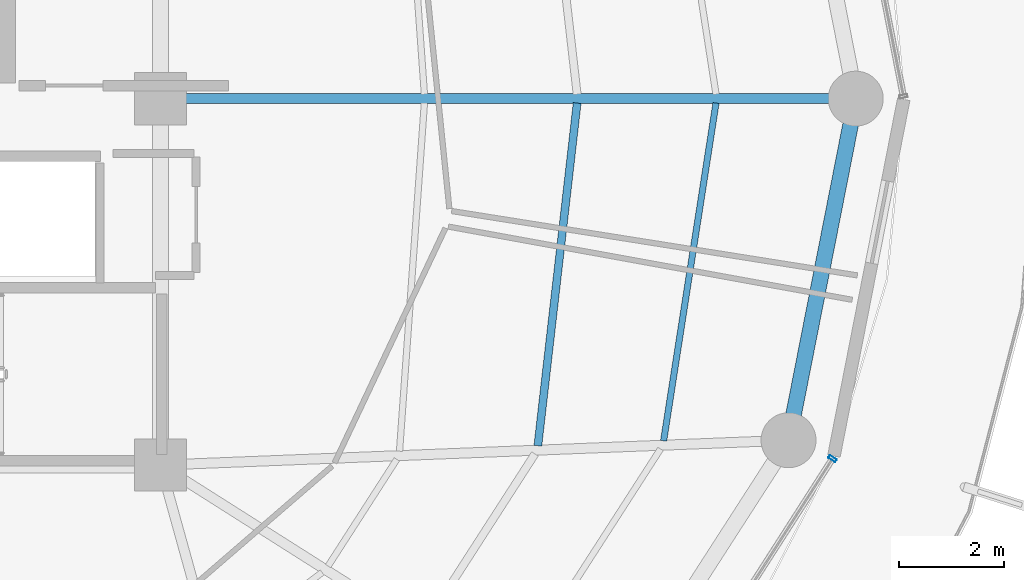
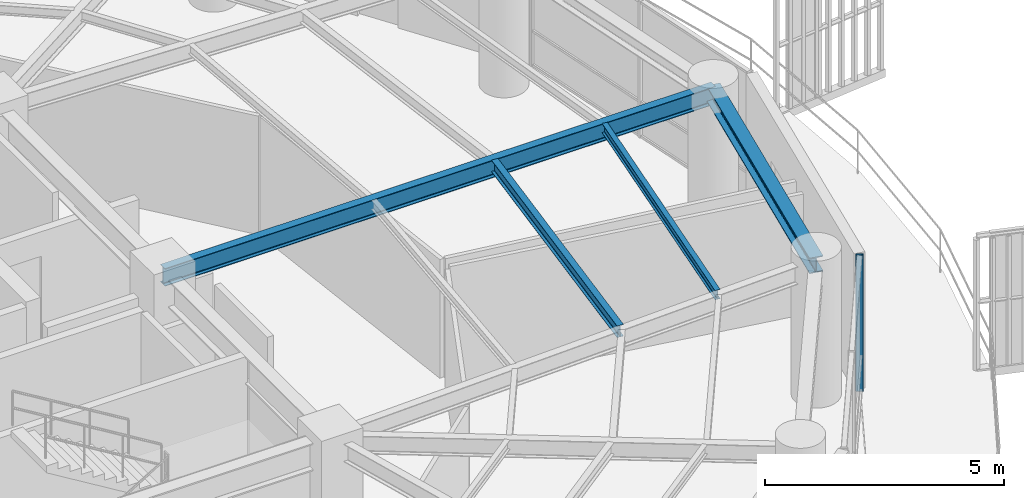
# One storey, part 13 of 31: 4 beams, 1 member, 1 element without a shape of its own.
"""IFC4 building model written with IfcOpenShell, lengths in metres."""

import ifcopenshell
import ifcopenshell.guid

model = None  # the IFC model being written
_history = None  # IfcOwnerHistory: only IFC2X3 demands one
_inside = {}  # id of a spatial element -> (the spatial element, [elements in it])
_under = {}  # id of a project, library or spatial element -> (it, [spatial elements below it])
_declared = {}  # id of a project -> (the project, [libraries it declares])
_typed = {}  # id of a type object -> (the type object, [elements of that type])
_made_of = {}  # id of a material, layer set ... -> (it, [elements and type objects made of it])


def new_model(schema):
    """Start an empty IFC model of exactly this schema.

    Asked for "IFC4X3", IfcOpenShell would pick the latest addendum, in which some entities
    have other attributes; the version numbers below select the first issue.
    IFC2X3 requires an IfcOwnerHistory on every rooted entity: one is made here for all.
    """
    global model, _history
    if schema == "IFC4X3":
        model = ifcopenshell.file(schema_version=(4, 3, 0, 0))
    else:
        model = ifcopenshell.file(schema=schema)
    _inside.clear()
    _under.clear()
    _declared.clear()
    _typed.clear()
    _made_of.clear()
    _history = None
    if model.schema == "IFC2X3":
        org = make("IfcOrganization", Name="unknown")
        user = make(
            "IfcPersonAndOrganization",
            ThePerson=make("IfcPerson", FamilyName="unknown"),
            TheOrganization=org,
        )
        app = make(
            "IfcApplication",
            ApplicationDeveloper=org,
            Version="unknown",
            ApplicationFullName="unknown",
            ApplicationIdentifier="unknown",
        )
        _history = make(
            "IfcOwnerHistory",
            OwningUser=user,
            OwningApplication=app,
            ChangeAction="ADDED",
            CreationDate=0,
        )
    return model


def make(cls, **values):
    """One entity of the class cls with the attributes given. An attribute that is None is left unset."""
    return model.create_entity(
        cls, **{name: value for name, value in values.items() if value is not None}
    )


def rooted(cls, **values):
    """An entity with a GlobalId (a new one), such as an element, a storey or a relation."""
    return make(cls, GlobalId=ifcopenshell.guid.new(), OwnerHistory=_history, **values)


def si_unit(unit_type, name, prefix=None):
    """IfcSIUnit, for example si_unit("LENGTHUNIT", "METRE", prefix="MILLI")."""
    return make("IfcSIUnit", UnitType=unit_type, Prefix=prefix, Name=name)


def assignment(units):
    """IfcUnitAssignment: the units of a project."""
    return None if units is None else make("IfcUnitAssignment", Units=units)


def point(xyz):
    """IfcCartesianPoint."""
    return None if xyz is None else make("IfcCartesianPoint", Coordinates=xyz)


def direction(xyz):
    """IfcDirection."""
    return None if xyz is None else make("IfcDirection", DirectionRatios=xyz)


def frame(location, z_axis=None, x_axis=None):
    """IfcAxis2Placement3D, a coordinate frame: its origin and axes. An axis left out is left unset."""
    return make(
        "IfcAxis2Placement3D",
        Location=point(location),
        Axis=direction(z_axis),
        RefDirection=direction(x_axis),
    )


def frame_2d(location, x_axis=None):
    """IfcAxis2Placement2D, a coordinate frame in the plane: its origin and x axis."""
    return make(
        "IfcAxis2Placement2D", Location=point(location), RefDirection=direction(x_axis)
    )


def origin():
    """The frame at (0, 0, 0) with its axes left unset."""
    return frame((0.0, 0.0, 0.0))


def origin_2d():
    """The frame at (0, 0) in the plane with its x axis left unset."""
    return frame_2d((0.0, 0.0))


def place(relative_to, where):
    """IfcLocalPlacement: puts the frame where relative to a parent placement (None: the world)."""
    return make(
        "IfcLocalPlacement", PlacementRelTo=relative_to, RelativePlacement=where
    )


def context(
    kind, dimensions, precision=None, world=None, true_north=None, identifier=None
):
    """IfcGeometricRepresentationContext, for example the 3D "Model" context."""
    return make(
        "IfcGeometricRepresentationContext",
        ContextIdentifier=identifier,
        ContextType=kind,
        CoordinateSpaceDimension=dimensions,
        Precision=precision,
        WorldCoordinateSystem=world,
        TrueNorth=true_north,
    )


def subcontext(parent, identifier, kind, view, scale=None):
    """IfcGeometricRepresentationSubContext, for example "Body" below "Model"."""
    return make(
        "IfcGeometricRepresentationSubContext",
        ContextIdentifier=identifier,
        ContextType=kind,
        ParentContext=parent,
        TargetScale=scale,
        TargetView=view,
    )


def project(units=None, contexts=None):
    """IfcProject with its units and contexts."""
    return rooted(
        "IfcProject",
        Name="project",
        RepresentationContexts=contexts,
        UnitsInContext=assignment(units),
    )


def spatial(cls, under=None, at=None, **own):
    """A site, building, storey or space (cls), placed at a placement, below another one or the project."""
    s = rooted(cls, ObjectPlacement=at, **own)
    if under is not None:
        _under.setdefault(under.id(), (under, []))[1].append(s)
    return s


def profile(cls, at=None, kind="AREA", **sizes):
    """A parametric profile (cls). Its sizes go by their IFC names, for example OverallWidth=200.0."""
    return make(cls, ProfileType=kind, Position=at, **sizes)


def hollow_rectangle(**sizes):
    """IfcRectangleHollowProfileDef."""
    return profile("IfcRectangleHollowProfileDef", **sizes)


def i_section(**sizes):
    """IfcIShapeProfileDef."""
    return profile("IfcIShapeProfileDef", **sizes)


def extrude(swept, where, along, depth):
    """IfcExtrudedAreaSolid: the profile swept, set in the frame where, extruded along a direction by depth."""
    return make(
        "IfcExtrudedAreaSolid",
        SweptArea=swept,
        Position=where,
        ExtrudedDirection=direction(along),
        Depth=depth,
    )


def shape(context_of_items, identifier, shape_type, items):
    """IfcShapeRepresentation: the items that make up one representation, for example the "Body"."""
    return make(
        "IfcShapeRepresentation",
        ContextOfItems=context_of_items,
        RepresentationIdentifier=identifier,
        RepresentationType=shape_type,
        Items=items,
    )


def material(Name=None, Category=None):
    """IfcMaterial."""
    return make("IfcMaterial", Name=Name, Category=Category)


def layer(
    of_material, thickness, ventilated=None, Name=None, Category=None, Priority=None
):
    """IfcMaterialLayer: one layer of a wall or slab, of a material (None: an air gap)."""
    return make(
        "IfcMaterialLayer",
        Material=of_material,
        LayerThickness=thickness,
        IsVentilated=ventilated,
        Name=Name,
        Category=Category,
        Priority=Priority,
    )


def layer_set(layers, Name=None):
    """IfcMaterialLayerSet."""
    return make("IfcMaterialLayerSet", MaterialLayers=layers, LayerSetName=Name)


def material_profile(
    of_material, cross_section, Name=None, Category=None, Priority=None
):
    """IfcMaterialProfile: a cross section and its material."""
    return make(
        "IfcMaterialProfile",
        Name=Name,
        Material=of_material,
        Profile=cross_section,
        Priority=Priority,
        Category=Category,
    )


def profile_set(profiles, Name=None, composite=None):
    """IfcMaterialProfileSet."""
    return make(
        "IfcMaterialProfileSet",
        Name=Name,
        MaterialProfiles=profiles,
        CompositeProfile=composite,
    )


def made_of(thing, what):
    """Note that an element or type object is made of a material, layer set ...; save() writes the relation."""
    if what is not None:
        _made_of.setdefault(what.id(), (what, []))[1].append(thing)
    return thing


def type_object(cls, material=None, **own):
    """A type object (cls), such as IfcWallType, which elements share."""
    return made_of(rooted(cls, **own), material)


def element(
    cls,
    number,
    at=None,
    inside=None,
    cuts=None,
    type_object=None,
    material=None,
    context=None,
    identifier="Body",
    shape_type=None,
    held_by="IfcProductDefinitionShape",
    body=None,
    shapes=None,
    **own,
):
    """One element of the class cls, such as IfcWall. Its Tag is "e" and its number.

    at: its placement. inside: the storey or other place that contains it. cuts: it is an
    opening in that element (IfcRelVoidsElement). A single representation is given by context,
    identifier, shape_type and body (its items); several are given by shapes. held_by: the class
    of the entity that holds the representations. save() writes the other relations.
    """
    e = rooted(cls, Tag="e%d" % number, ObjectPlacement=at, **own)
    if body is not None:
        shapes = [shape(context, identifier, shape_type, body)]
    if shapes is not None:
        e.Representation = make(held_by, Representations=shapes)
    if inside is not None:
        _inside.setdefault(inside.id(), (inside, []))[1].append(e)
    if cuts is not None:
        rooted(
            "IfcRelVoidsElement", RelatingBuildingElement=cuts, RelatedOpeningElement=e
        )
    if type_object is not None:
        _typed.setdefault(type_object.id(), (type_object, []))[1].append(e)
    return made_of(e, material)


def aggregate(whole, parts):
    """IfcRelAggregates: a whole, such as a stair, and the parts it consists of."""
    return rooted("IfcRelAggregates", RelatingObject=whole, RelatedObjects=parts)


def save(model, path):
    """Write the relations noted so far, then the file.

    IfcRelAggregates (storeys below a building ...), IfcRelContainedInSpatialStructure (elements
    in a storey), IfcRelDefinesByType, IfcRelAssociatesMaterial and IfcRelDeclares: one each for
    every whole, place, type object, material and project.
    """
    for whole, parts in _under.values():
        aggregate(whole, parts)
    for where, things in _inside.values():
        rooted(
            "IfcRelContainedInSpatialStructure",
            RelatedElements=things,
            RelatingStructure=where,
        )
    for kind, things in _typed.values():
        rooted("IfcRelDefinesByType", RelatedObjects=things, RelatingType=kind)
    for what, things in _made_of.values():
        rooted("IfcRelAssociatesMaterial", RelatedObjects=things, RelatingMaterial=what)
    for by, libraries in _declared.values():
        rooted("IfcRelDeclares", RelatingContext=by, RelatedDefinitions=libraries)
    model.write(path)


model = new_model("IFC4")

# Units and contexts
model_context = context("Model", 3, precision=1e-05, world=origin(), true_north=direction((0.0, 1.0)))
body_context = subcontext(model_context, "Body", "Model", "MODEL_VIEW")
ifc_project = project(units=[si_unit("LENGTHUNIT", "METRE"), si_unit("AREAUNIT", "SQUARE_METRE"), si_unit("VOLUMEUNIT", "CUBIC_METRE"), si_unit("PLANEANGLEUNIT", "RADIAN"), si_unit("MASSUNIT", "GRAM", prefix="KILO")], contexts=[model_context])

# Site, building, storey
site_placement = place(None, origin())
site = spatial("IfcSite", under=ifc_project, at=site_placement, CompositionType="ELEMENT")
building_placement = place(site_placement, origin())
building = spatial("IfcBuilding", under=site, at=building_placement, Name="Kelanora Arch Commons", CompositionType="ELEMENT")
storey_placement = place(building_placement, frame((0.0, 0.0, 219.449951171875)))
storey = spatial("IfcBuildingStorey", under=building, at=storey_placement, Name="L56", CompositionType="ELEMENT", Elevation=219.449951171875)

# Beams
ifc_material_1 = material(Name="Steel S355", Category="steel")
ifc_material_profile_1 = material_profile(ifc_material_1, i_section(OverallWidth=0.14990234375, OverallDepth=0.300048828125, WebThickness=0.007080078125, FlangeThickness=0.0107421875, FilletRadius=0.014892578125, at=origin_2d()), Name="IPE300")
ifc_profile_set_1 = profile_set([ifc_material_profile_1], Name="Steel S355")
beam_type_1 = type_object("IfcBeamType", Name="BM-JST-01", PredefinedType="JOIST", material=ifc_profile_set_1)
beam_1_placement = place(storey_placement, frame((89.207763671875, 51.368896484375, 3.340087890625), z_axis=(0.113891408177, 0.993493204377, 0.0), x_axis=(-0.993493204377, 0.113891408177, 0.0)))
element("IfcBeam", 1, at=beam_1_placement, inside=storey, type_object=beam_type_1, Name="Secondary Chord Joist BJB-34 L56", PredefinedType="JOIST", context=body_context, shape_type="SweptSolid", body=[
    extrude(i_section(OverallWidth=0.14990234375, OverallDepth=0.300048828125, WebThickness=0.007080078125, FlangeThickness=0.0107421875, FilletRadius=0.014892578125, at=origin_2d()), origin(), (0.0, 0.0, 1.0), 6.589599609375),
])
ifc_material_profile_2 = material_profile(ifc_material_1, i_section(OverallWidth=0.1201171875, OverallDepth=0.239990234375, WebThickness=0.006103515625, FlangeThickness=0.009765625, FilletRadius=0.014892578125, at=origin_2d()), Name="IPE240")
ifc_profile_set_2 = profile_set([ifc_material_profile_2], Name="Steel S355")
beam_type_2 = type_object("IfcBeamType", Name="BM-JST-02", PredefinedType="JOIST", material=ifc_profile_set_2)
beam_2_placement = place(storey_placement, frame((91.6103515625, 51.46337890625, 3.3701171875), z_axis=(0.153256756152, 0.988186402808, 0.0), x_axis=(-0.988186402808, 0.153256756152, 0.0)))
element("IfcBeam", 2, at=beam_2_placement, inside=storey, type_object=beam_type_2, Name="Secondary Chord Joist BJC-34 L56", PredefinedType="JOIST", context=body_context, shape_type="SweptSolid", body=[
    extrude(i_section(OverallWidth=0.1201171875, OverallDepth=0.239990234375, WebThickness=0.006103515625, FlangeThickness=0.009765625, FilletRadius=0.014892578125, at=origin_2d()), origin(), (0.0, 0.0, 1.0), 6.52978515625),
])
ifc_material_profile_3 = material_profile(ifc_material_1, i_section(OverallWidth=0.18994140625, OverallDepth=0.449951171875, WebThickness=0.009521484375, FlangeThickness=0.0146484375, FilletRadius=0.02099609375, at=origin_2d()), Name="IPE450")
ifc_profile_set_3 = profile_set([ifc_material_profile_3], Name="Steel S355")
beam_type_3 = type_object("IfcBeamType", Name="BM-RAD-Z4", PredefinedType="BEAM", material=ifc_profile_set_3)
beam_3_placement = place(storey_placement, frame((82.0, 58.0, 3.26513671875), z_axis=(1.0, 0.0, 0.0), x_axis=(0.0, 1.0, 0.0)))
element("IfcBeam", 3, at=beam_3_placement, inside=storey, type_object=beam_type_3, Name="Radial Floor Girder BR-00 L56", PredefinedType="BEAM", context=body_context, shape_type="SweptSolid", body=[
    extrude(i_section(OverallWidth=0.18994140625, OverallDepth=0.449951171875, WebThickness=0.009521484375, FlangeThickness=0.0146484375, FilletRadius=0.02099609375, at=origin_2d()), origin(), (0.0, 0.0, 1.0), 13.280029296875),
])
ifc_material_profile_4 = material_profile(ifc_material_1, i_section(OverallWidth=0.300048828125, OverallDepth=0.39990234375, WebThickness=0.013427734375, FlangeThickness=0.02392578125, FilletRadius=0.027099609375, at=origin_2d()), Name="HEB400")
ifc_profile_set_4 = profile_set([ifc_material_profile_4], Name="Steel S355")
beam_type_4 = type_object("IfcBeamType", Name="BM-SPN-Z4", PredefinedType="SPANDREL", material=ifc_profile_set_4)
beam_4_placement = place(storey_placement, frame((93.99658203125, 51.474365234375, 3.2900390625), z_axis=(0.192980724826, 0.981202547819, 0.0), x_axis=(-0.981202547819, 0.192980724826, 0.0)))
element("IfcBeam", 4, at=beam_4_placement, inside=storey, type_object=beam_type_4, Name="Perimeter Spandrel Beam BS-34 L56", PredefinedType="SPANDREL", context=body_context, shape_type="SweptSolid", body=[
    extrude(i_section(OverallWidth=0.300048828125, OverallDepth=0.39990234375, WebThickness=0.013427734375, FlangeThickness=0.02392578125, FilletRadius=0.027099609375, at=origin_2d()), origin(), (0.0, 0.0, 1.0), 6.650634765625),
])

# Curtain wall, member
ifc_material_2 = material(Name="Terracotta ceramic-fritted low-E glass and aluminium", Category="masonry")
ifc_layer = layer(ifc_material_2, 0.175048828125)
ifc_layer_set = layer_set([ifc_layer], Name="Terracotta ceramic-fritted low-E glass and aluminium")
curtain_wall_type = type_object("IfcCurtainWallType", Name="CW-SYS-02", PredefinedType="NOTDEFINED", material=ifc_layer_set)
curtain_wall_placement = place(storey_placement, origin())
curtain_wall = element("IfcCurtainWall", 5, at=curtain_wall_placement, inside=storey, type_object=curtain_wall_type, Name="Unitised Curtain Wall L56-B16", PredefinedType="NOTDEFINED")
ifc_material_3 = material(Name="Powder-coated aluminium terracotta", Category="masonry")
ifc_material_profile_5 = material_profile(ifc_material_3, hollow_rectangle(XDim=0.159912109375, YDim=0.06005859375, WallThickness=0.0048828125, InnerFilletRadius=0.0048828125, OuterFilletRadius=0.010009765625, at=origin_2d()), Name="CWM160x60")
ifc_profile_set_5 = profile_set([ifc_material_profile_5], Name="Powder-coated aluminium terracotta")
member_type = type_object("IfcMemberType", Name="CWM-STD", PredefinedType="MULLION", material=ifc_profile_set_5)
member_placement = place(storey_placement, frame((94.8369140625, 51.121826171875, 0.0), z_axis=(0.0, 0.0, 1.0), x_axis=(-0.84194757539, 0.539559338994, 0.0)))
member = element("IfcMember", 6, at=member_placement, type_object=member_type, Name="CW-02 mullion 3", PredefinedType="MULLION", context=body_context, shape_type="SweptSolid", body=[
    extrude(hollow_rectangle(XDim=0.159912109375, YDim=0.06005859375, WallThickness=0.0048828125, InnerFilletRadius=0.0048828125, OuterFilletRadius=0.010009765625, at=origin_2d()), origin(), (0.0, 0.0, 1.0), 3.47509765625),
])
aggregate(curtain_wall, [member])

save(model, "model.ifc")
